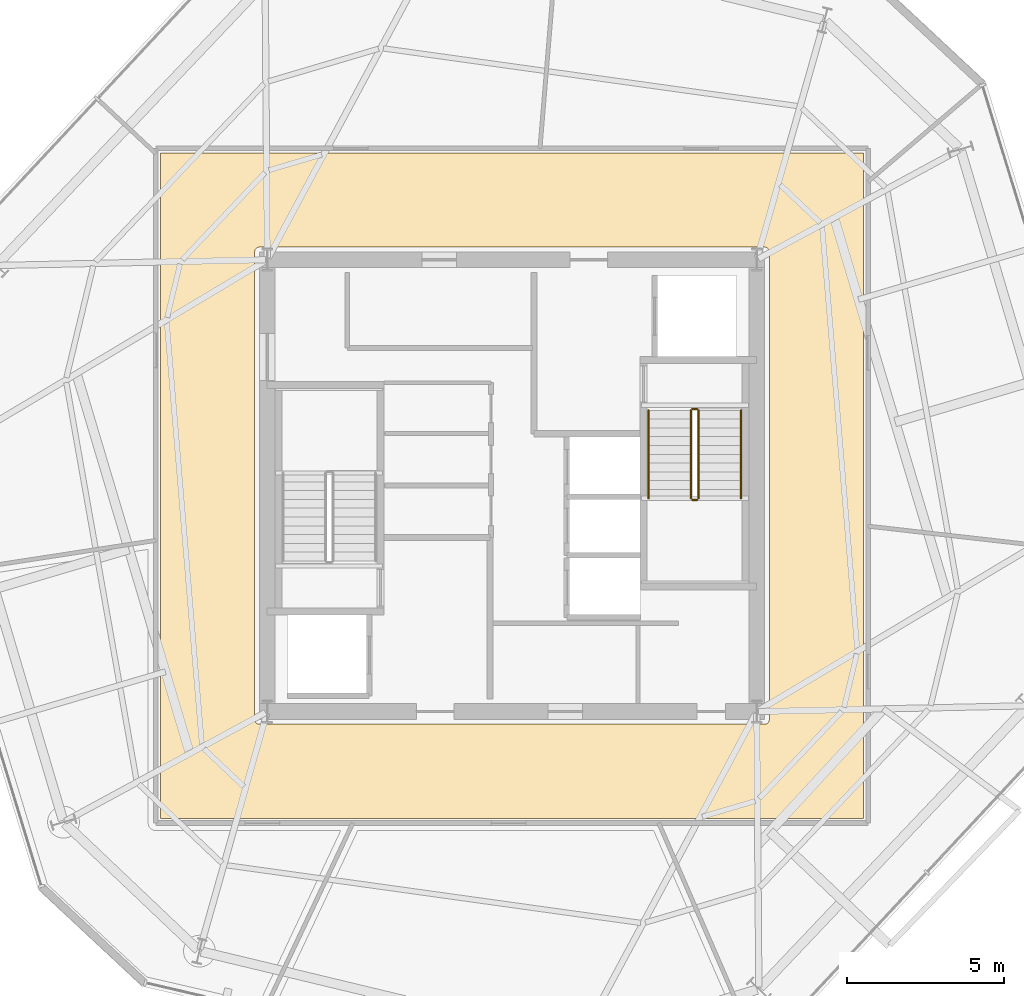
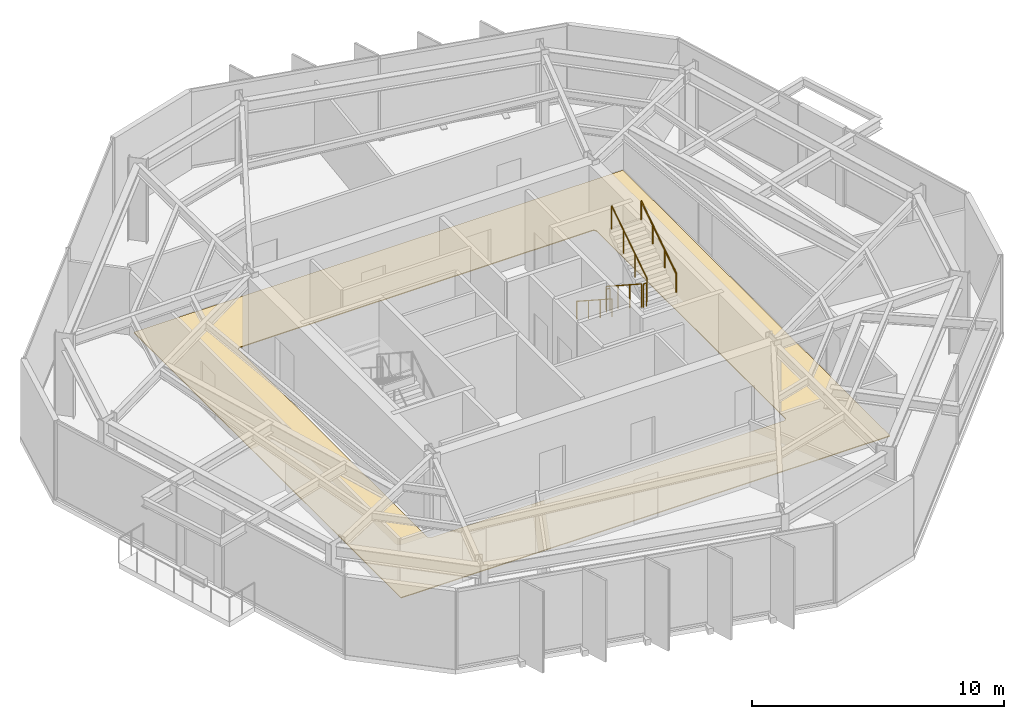
# One storey, part 10 of 11: 6 railings, 1 covering.
"""IFC4 building model written with IfcOpenShell, lengths in metres."""

from ifc_helpers import new_model, si_unit, direction, frame, origin, origin_2d, place, context, subcontext, project, spatial, polyline, circle, outline, extrude, material, layer, layer_set, type_object, element, save


model = new_model("IFC4")

# Units and contexts
model_context = context("Model", 3, precision=1e-05, world=origin(), true_north=direction((0.0, 1.0)))
body_context = subcontext(model_context, "Body", "Model", "MODEL_VIEW")
ifc_project = project(units=[si_unit("LENGTHUNIT", "METRE"), si_unit("AREAUNIT", "SQUARE_METRE"), si_unit("VOLUMEUNIT", "CUBIC_METRE"), si_unit("PLANEANGLEUNIT", "RADIAN"), si_unit("MASSUNIT", "GRAM", prefix="KILO")], contexts=[model_context])

# Site, building, storey
site_placement = place(None, origin())
site = spatial("IfcSite", under=ifc_project, at=site_placement, CompositionType="ELEMENT")
building_placement = place(site_placement, origin())
building = spatial("IfcBuilding", under=site, at=building_placement, Name="Kranzbogen Civic Tower", CompositionType="ELEMENT")
storey_placement = place(building_placement, frame((0.0, 0.0, 212.800048828125)))
storey = spatial("IfcBuildingStorey", under=building, at=storey_placement, Name="L51", CompositionType="ELEMENT", Elevation=212.800048828125)

# Covering
ifc_material_1 = material(Name="Honed Natural Stone Flooring", Category="masonry")
ifc_layer = layer(ifc_material_1, 0.0400390625, Name="Honed Natural Stone Flooring")
ifc_layer_set = layer_set([ifc_layer], Name="Honed Natural Stone Flooring")
covering_type = type_object("IfcCoveringType", Name="Honed Limestone Lobby Flooring 40 mm", PredefinedType="FLOORING", material=ifc_layer_set)
covering_placement = place(storey_placement, origin())
element("IfcCovering", 1, at=covering_placement, inside=storey, type_object=covering_type, Name="L51 concourse stone flooring 1", PredefinedType="FLOORING", context=body_context, shape_type="SweptSolid", body=[
    extrude(outline(polyline([(13.800048828125, 35.60009765625), (36.199951171875, 35.60009765625), (36.199951171875, 14.39990234375), (13.800048828125, 14.39990234375), (13.800048828125, 35.60009765625)]), holes=[polyline([(33.050048828125, 32.60009765625), (33.06494140625, 32.59912109375), (33.0791015625, 32.596923828125), (33.093994140625, 32.593994140625), (33.10693359375, 32.589111328125), (33.12109375, 32.58203125), (33.133056640625, 32.574951171875), (33.14501953125, 32.56591796875), (33.156005859375, 32.555908203125), (33.166015625, 32.544921875), (33.175048828125, 32.532958984375), (33.181884765625, 32.52099609375), (33.18896484375, 32.507080078125), (33.194091796875, 32.493896484375), (33.197021484375, 32.47900390625), (33.198974609375, 32.465087890625), (33.199951171875, 32.449951171875), (33.199951171875, 17.550048828125), (33.198974609375, 17.534912109375), (33.197021484375, 17.52099609375), (33.194091796875, 17.506103515625), (33.18896484375, 17.492919921875), (33.181884765625, 17.47900390625), (33.175048828125, 17.467041015625), (33.166015625, 17.455078125), (33.156005859375, 17.444091796875), (33.14501953125, 17.43408203125), (33.133056640625, 17.425048828125), (33.12109375, 17.41796875), (33.10693359375, 17.410888671875), (33.093994140625, 17.406005859375), (33.0791015625, 17.403076171875), (33.06494140625, 17.40087890625), (33.050048828125, 17.39990234375), (16.949951171875, 17.39990234375), (16.93505859375, 17.40087890625), (16.9208984375, 17.403076171875), (16.906005859375, 17.406005859375), (16.89306640625, 17.410888671875), (16.87890625, 17.41796875), (16.866943359375, 17.425048828125), (16.85498046875, 17.43408203125), (16.843994140625, 17.444091796875), (16.833984375, 17.455078125), (16.824951171875, 17.467041015625), (16.818115234375, 17.47900390625), (16.81103515625, 17.492919921875), (16.805908203125, 17.506103515625), (16.802978515625, 17.52099609375), (16.801025390625, 17.534912109375), (16.800048828125, 17.550048828125), (16.800048828125, 32.449951171875), (16.801025390625, 32.465087890625), (16.802978515625, 32.47900390625), (16.805908203125, 32.493896484375), (16.81103515625, 32.507080078125), (16.818115234375, 32.52099609375), (16.824951171875, 32.532958984375), (16.833984375, 32.544921875), (16.843994140625, 32.555908203125), (16.85498046875, 32.56591796875), (16.866943359375, 32.574951171875), (16.87890625, 32.58203125), (16.89306640625, 32.589111328125), (16.906005859375, 32.593994140625), (16.9208984375, 32.596923828125), (16.93505859375, 32.59912109375), (16.949951171875, 32.60009765625), (33.050048828125, 32.60009765625)])]), origin(), (0.0, 0.0, 1.0), 0.0400390625),
])

# Railings
ifc_material_2 = material(Name="Steel S355", Category="steel")
railing_type_1 = type_object("IfcRailingType", Name="Internal Stair and Void Steel Guardrail 1150", PredefinedType="GUARDRAIL", material=ifc_material_2)
railing_1_placement = place(storey_placement, frame((30.699951171875, 27.39990234375, 0.181884765625)))
element("IfcRailing", 2, at=railing_1_placement, inside=storey, type_object=railing_type_1, Name="L51 ST-T2 stair guard 1", PredefinedType="GUARDRAIL", context=body_context, shape_type="SweptSolid", body=[
    extrude(circle(Radius=0.02392578125, at=origin_2d()), frame((0.0, 0.0, 1.1259765625), z_axis=(0.0, -0.83868413941, 0.544618136222), x_axis=(1.0, 0.0, 0.0)), (0.0, 0.0, 1.0), 3.33837890625),
    extrude(circle(Radius=0.02099609375, at=origin_2d()), origin(), (0.0, 0.0, 1.0), 1.101806640625),
    extrude(circle(Radius=0.02099609375, at=origin_2d()), frame((0.0, -0.933349609375, 0.60595703125)), (0.0, 0.0, 1.0), 1.101806640625),
    extrude(circle(Radius=0.02099609375, at=origin_2d()), frame((0.0, -1.866455078125, 1.212158203125)), (0.0, 0.0, 1.0), 1.101806640625),
    extrude(circle(Radius=0.02099609375, at=origin_2d()), frame((0.0, -2.7998046875, 1.818115234375)), (0.0, 0.0, 1.0), 1.101806640625),
])
railing_2_placement = place(storey_placement, frame((30.75, 24.550048828125, 2.0)))
element("IfcRailing", 3, at=railing_2_placement, inside=storey, type_object=railing_type_1, Name="L51 ST-T2 stair guard 2", PredefinedType="GUARDRAIL", context=body_context, shape_type="SweptSolid", body=[
    extrude(circle(Radius=0.02392578125, at=origin_2d()), frame((0.0, 0.0, 1.1259765625), z_axis=(1.0, 0.0, 0.0), x_axis=(0.0, 1.0, 0.0)), (0.0, 0.0, 1.0), 0.14990234375),
    extrude(circle(Radius=0.02099609375, at=origin_2d()), origin(), (0.0, 0.0, 1.0), 1.101806640625),
    extrude(circle(Radius=0.02099609375, at=origin_2d()), frame((0.14990234375, 0.0, 0.0)), (0.0, 0.0, 1.0), 1.101806640625),
])
railing_3_placement = place(storey_placement, frame((30.949951171875, 24.60009765625, 2.181884765625)))
element("IfcRailing", 4, at=railing_3_placement, inside=storey, type_object=railing_type_1, Name="L51 ST-T2 stair guard 3", PredefinedType="GUARDRAIL", context=body_context, shape_type="SweptSolid", body=[
    extrude(circle(Radius=0.02392578125, at=origin_2d()), frame((0.0, 0.0, 1.1259765625), z_axis=(0.0, 0.83868413941, 0.544618136222), x_axis=(-1.0, 0.0, 0.0)), (0.0, 0.0, 1.0), 3.33837890625),
    extrude(circle(Radius=0.02099609375, at=origin_2d()), origin(), (0.0, 0.0, 1.0), 1.101806640625),
    extrude(circle(Radius=0.02099609375, at=origin_2d()), frame((0.0, 0.933349609375, 0.60595703125)), (0.0, 0.0, 1.0), 1.101806640625),
    extrude(circle(Radius=0.02099609375, at=origin_2d()), frame((0.0, 1.866455078125, 1.212158203125)), (0.0, 0.0, 1.0), 1.101806640625),
    extrude(circle(Radius=0.02099609375, at=origin_2d()), frame((0.0, 2.7998046875, 1.818115234375)), (0.0, 0.0, 1.0), 1.101806640625),
])
railing_4_placement = place(storey_placement, frame((30.75, 27.449951171875, 0.0)))
element("IfcRailing", 5, at=railing_4_placement, inside=storey, type_object=railing_type_1, Name="L51 ST-T2 stair guard 4", PredefinedType="GUARDRAIL", context=body_context, shape_type="SweptSolid", body=[
    extrude(circle(Radius=0.02392578125, at=origin_2d()), frame((0.0, 0.0, 1.1259765625), z_axis=(1.0, 0.0, 0.0), x_axis=(0.0, 1.0, 0.0)), (0.0, 0.0, 1.0), 0.14990234375),
    extrude(circle(Radius=0.02099609375, at=origin_2d()), origin(), (0.0, 0.0, 1.0), 1.101806640625),
    extrude(circle(Radius=0.02099609375, at=origin_2d()), frame((0.14990234375, 0.0, 0.0)), (0.0, 0.0, 1.0), 1.101806640625),
])
ifc_material_3 = material(Name="Pale Anodised Aluminium", Category="aluminium")
railing_type_2 = type_object("IfcRailingType", Name="Tubular Stainless Stair Wall Handrail 900", PredefinedType="HANDRAIL", material=ifc_material_3)
railing_5_placement = place(storey_placement, frame((29.35009765625, 27.39990234375, 0.181884765625)))
element("IfcRailing", 6, at=railing_5_placement, inside=storey, type_object=railing_type_2, Name="L51 ST-T2 stair handrail 1", PredefinedType="HANDRAIL", context=body_context, shape_type="SweptSolid", body=[
    extrude(circle(Radius=0.02392578125, at=origin_2d()), frame((0.0, 0.0, 0.8759765625), z_axis=(0.0, -0.83868413941, 0.544618136222), x_axis=(1.0, 0.0, 0.0)), (0.0, 0.0, 1.0), 3.33837890625),
    extrude(circle(Radius=0.02099609375, at=origin_2d()), origin(), (0.0, 0.0, 1.0), 0.851806640625),
    extrude(circle(Radius=0.02099609375, at=origin_2d()), frame((0.0, -0.933349609375, 0.60595703125)), (0.0, 0.0, 1.0), 0.851806640625),
    extrude(circle(Radius=0.02099609375, at=origin_2d()), frame((0.0, -1.866455078125, 1.212158203125)), (0.0, 0.0, 1.0), 0.851806640625),
    extrude(circle(Radius=0.02099609375, at=origin_2d()), frame((0.0, -2.7998046875, 1.818115234375)), (0.0, 0.0, 1.0), 0.851806640625),
])
railing_6_placement = place(storey_placement, frame((32.300048828125, 24.60009765625, 2.181884765625)))
element("IfcRailing", 7, at=railing_6_placement, inside=storey, type_object=railing_type_2, Name="L51 ST-T2 stair handrail 2", PredefinedType="HANDRAIL", context=body_context, shape_type="SweptSolid", body=[
    extrude(circle(Radius=0.02392578125, at=origin_2d()), frame((0.0, 0.0, 0.8759765625), z_axis=(0.0, 0.83868413941, 0.544618136222), x_axis=(-1.0, 0.0, 0.0)), (0.0, 0.0, 1.0), 3.33837890625),
    extrude(circle(Radius=0.02099609375, at=origin_2d()), origin(), (0.0, 0.0, 1.0), 0.851806640625),
    extrude(circle(Radius=0.02099609375, at=origin_2d()), frame((0.0, 0.933349609375, 0.60595703125)), (0.0, 0.0, 1.0), 0.851806640625),
    extrude(circle(Radius=0.02099609375, at=origin_2d()), frame((0.0, 1.866455078125, 1.212158203125)), (0.0, 0.0, 1.0), 0.851806640625),
    extrude(circle(Radius=0.02099609375, at=origin_2d()), frame((0.0, 2.7998046875, 1.818115234375)), (0.0, 0.0, 1.0), 0.851806640625),
])

save(model, "model.ifc")
